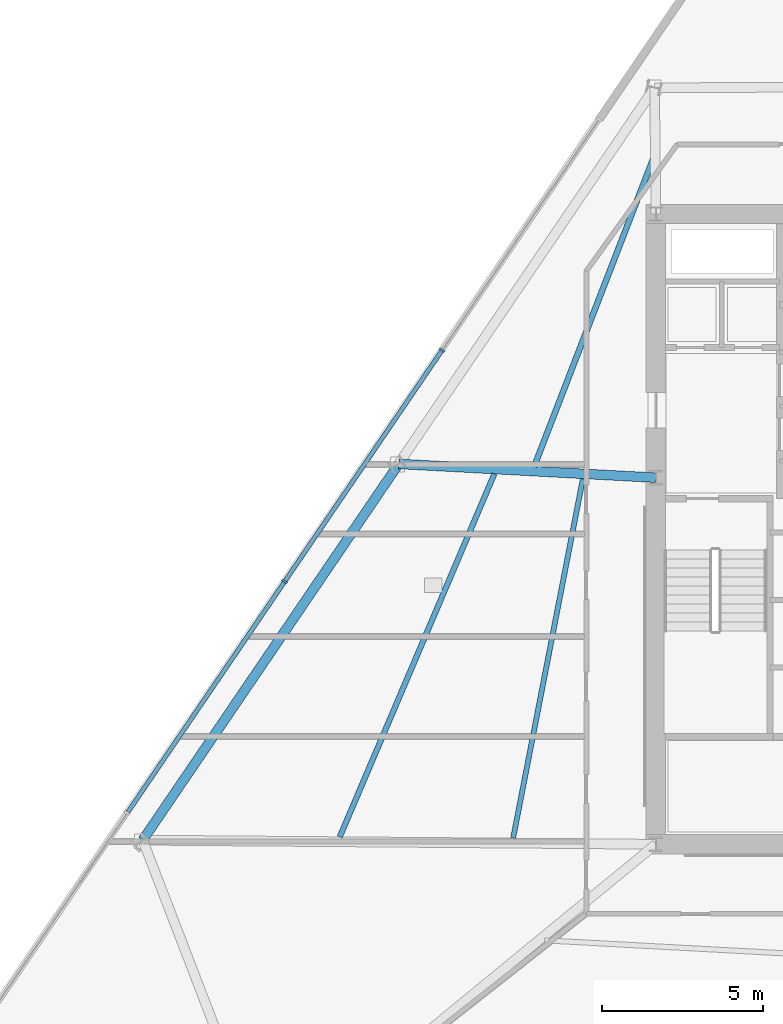
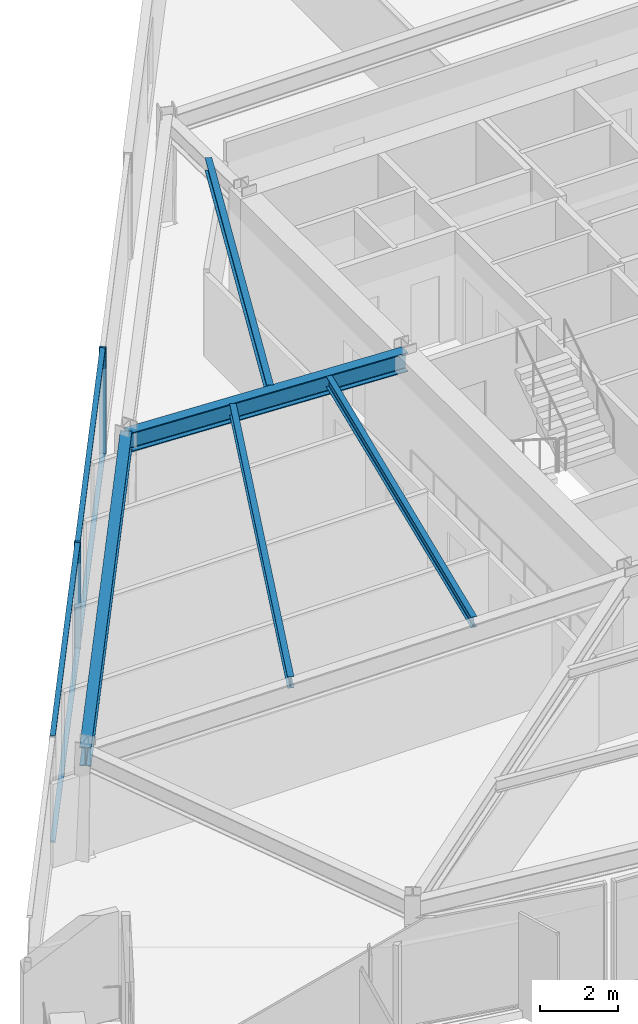
# One storey, part 3 of 16: 6 members, 5 beams, 1 element without a shape of its own.
"""IFC4 building model written with IfcOpenShell, lengths in metres."""

from ifc_helpers import new_model, si_unit, direction, frame, origin, origin_2d, place, context, subcontext, project, spatial, rectangle, i_section, extrude, material, material_profile, profile_set, type_object, element, aggregate, save


model = new_model("IFC4")

# Units and contexts
model_context = context("Model", 3, precision=1e-05, world=origin(), true_north=direction((0.0, 1.0)))
body_context = subcontext(model_context, "Body", "Model", "MODEL_VIEW")
ifc_project = project(units=[si_unit("LENGTHUNIT", "METRE"), si_unit("AREAUNIT", "SQUARE_METRE"), si_unit("VOLUMEUNIT", "CUBIC_METRE"), si_unit("PLANEANGLEUNIT", "RADIAN"), si_unit("MASSUNIT", "GRAM", prefix="KILO")], contexts=[model_context])

# Site, building, storey
site_placement = place(None, origin())
site = spatial("IfcSite", under=ifc_project, at=site_placement, CompositionType="ELEMENT")
building_placement = place(site_placement, origin())
building = spatial("IfcBuilding", under=site, at=building_placement, Name="Savorim Split Tower", CompositionType="ELEMENT")
storey_placement = place(building_placement, frame((0.0, 0.0, 51.60009765625)))
storey = spatial("IfcBuildingStorey", under=building, at=storey_placement, Name="L13", CompositionType="ELEMENT", Elevation=51.60009765625)

# Beams
ifc_material_1 = material(Name="Steel S355", Category="steel")
ifc_material_profile_1 = material_profile(ifc_material_1, i_section(OverallWidth=0.159912109375, OverallDepth=0.330078125, WebThickness=0.007568359375, FlangeThickness=0.011474609375, FilletRadius=0.01806640625, at=origin_2d()), Name="IPE 330")
ifc_profile_set_1 = profile_set([ifc_material_profile_1], Name="Steel S355")
beam_type_1 = type_object("IfcBeamType", Name="BM-JST-IPE330", PredefinedType="JOIST", material=ifc_profile_set_1)
beam_1_placement = place(storey_placement, frame((-9.969970703125, 1.962890625, 3.184814453125), z_axis=(-0.190496912455, -0.981687794742, 0.0), x_axis=(0.981687794742, -0.190496912455, 0.0)))
element("IfcBeam", 1, at=beam_1_placement, inside=storey, type_object=beam_type_1, Name="L13 Secondary Floor Joist JS-11", PredefinedType="JOIST", context=body_context, shape_type="SweptSolid", body=[
    extrude(i_section(OverallWidth=0.159912109375, OverallDepth=0.330078125, WebThickness=0.007568359375, FlangeThickness=0.011474609375, FilletRadius=0.01806640625, at=origin_2d()), origin(), (0.0, 0.0, 1.0), 11.3779296875),
])
ifc_material_profile_2 = material_profile(ifc_material_1, i_section(OverallWidth=0.169921875, OverallDepth=0.360107421875, WebThickness=0.008056640625, FlangeThickness=0.0126953125, FilletRadius=0.01806640625, at=origin_2d()), Name="IPE 360")
ifc_profile_set_2 = profile_set([ifc_material_profile_2], Name="Steel S355")
beam_type_2 = type_object("IfcBeamType", Name="BM-JST-IPE360", PredefinedType="JOIST", material=ifc_profile_set_2)
beam_2_placement = place(storey_placement, frame((-12.721435546875, 2.118408203125, 3.169921875), z_axis=(-0.391860817879, -0.920024510223, 0.0), x_axis=(0.920024510223, -0.391860817879, 0.0)))
element("IfcBeam", 2, at=beam_2_placement, inside=storey, type_object=beam_type_2, Name="L13 Secondary Floor Joist JS-10", PredefinedType="JOIST", context=body_context, shape_type="SweptSolid", body=[
    extrude(i_section(OverallWidth=0.169921875, OverallDepth=0.360107421875, WebThickness=0.008056640625, FlangeThickness=0.0126953125, FilletRadius=0.01806640625, at=origin_2d()), origin(), (0.0, 0.0, 1.0), 12.27294921875),
])
ifc_material_profile_3 = material_profile(ifc_material_1, i_section(OverallWidth=0.179931640625, OverallDepth=0.39990234375, WebThickness=0.008544921875, FlangeThickness=0.013427734375, FilletRadius=0.02099609375, at=origin_2d()), Name="IPE 400")
ifc_profile_set_3 = profile_set([ifc_material_profile_3], Name="Steel S355")
beam_type_3 = type_object("IfcBeamType", Name="BM-JST-IPE400", PredefinedType="JOIST", material=ifc_profile_set_3)
beam_3_placement = place(storey_placement, frame((-7.7763671875, 11.936279296875, 3.14990234375), z_axis=(-0.360650706203, -0.932700953208, 0.0), x_axis=(0.932700953208, -0.360650706203, 0.0)))
element("IfcBeam", 3, at=beam_3_placement, inside=storey, type_object=beam_type_3, Name="L13 Secondary Floor Joist JS-09", PredefinedType="JOIST", context=body_context, shape_type="SweptSolid", body=[
    extrude(i_section(OverallWidth=0.179931640625, OverallDepth=0.39990234375, WebThickness=0.008544921875, FlangeThickness=0.013427734375, FilletRadius=0.02099609375, at=origin_2d()), origin(), (0.0, 0.0, 1.0), 10.272705078125),
])
ifc_material_profile_4 = material_profile(ifc_material_1, i_section(OverallWidth=0.300048828125, OverallDepth=0.60009765625, WebThickness=0.015380859375, FlangeThickness=0.030029296875, FilletRadius=0.027099609375, at=origin_2d()), Name="HEB 600")
ifc_profile_set_4 = profile_set([ifc_material_profile_4], Name="Steel S355")
beam_type_4 = type_object("IfcBeamType", Name="BM-PRI-HEB600", PredefinedType="BEAM", material=ifc_profile_set_4)
beam_4_placement = place(storey_placement, frame((-15.697998046875, 2.4287109375, 3.0498046875), z_axis=(0.998566503555, -0.053525115392, 0.0), x_axis=(0.053525115392, 0.998566503555, 0.0)))
element("IfcBeam", 4, at=beam_4_placement, inside=storey, type_object=beam_type_4, Name="L13 Primary Floor Girder RG-09", PredefinedType="BEAM", context=body_context, shape_type="SweptSolid", body=[
    extrude(i_section(OverallWidth=0.300048828125, OverallDepth=0.60009765625, WebThickness=0.015380859375, FlangeThickness=0.030029296875, FilletRadius=0.027099609375, at=origin_2d()), origin(), (0.0, 0.0, 1.0), 8.009521484375),
])
ifc_material_profile_5 = material_profile(ifc_material_1, i_section(OverallWidth=0.300048828125, OverallDepth=0.590087890625, WebThickness=0.012939453125, FlangeThickness=0.02490234375, FilletRadius=0.027099609375, at=origin_2d()), Name="HEA 600")
ifc_profile_set_5 = profile_set([ifc_material_profile_5], Name="Steel S355")
beam_type_5 = type_object("IfcBeamType", Name="BM-SPN-HEA600", PredefinedType="SPANDREL", material=ifc_profile_set_5)
beam_5_placement = place(storey_placement, frame((-15.697998046875, 2.4287109375, 3.054931640625), z_axis=(-0.562455834687, -0.826827330237, 0.0), x_axis=(0.826827330237, -0.562455834687, 0.0)))
element("IfcBeam", 5, at=beam_5_placement, inside=storey, type_object=beam_type_5, Name="L13 Perimeter Spandrel Beam 9", PredefinedType="SPANDREL", context=body_context, shape_type="SweptSolid", body=[
    extrude(i_section(OverallWidth=0.300048828125, OverallDepth=0.590087890625, WebThickness=0.012939453125, FlangeThickness=0.02490234375, FilletRadius=0.027099609375, at=origin_2d()), origin(), (0.0, 0.0, 1.0), 14.150390625),
])

# Curtain wall, members
ifc_material_2 = material(Name="Dark Ceramic-Fritted Insulated Glass", Category="glass")
curtain_wall_type = type_object("IfcCurtainWallType", Name="CW-TWR-FRIT-A", PredefinedType="NOTDEFINED", material=ifc_material_2)
curtain_wall_placement = place(storey_placement, origin())
curtain_wall = element("IfcCurtainWall", 6, at=curtain_wall_placement, inside=storey, type_object=curtain_wall_type, Name="L13 Curtain Wall CW-L13-WEST", PredefinedType="NOTDEFINED")
ifc_material_3 = material(Name="Charcoal Anodised Aluminium", Category="aluminium")
ifc_material_profile_6 = material_profile(ifc_material_3, rectangle(XDim=0.179931640625, YDim=0.06494140625, at=origin_2d()), Name="ALU-M 180x65")
ifc_profile_set_6 = profile_set([ifc_material_profile_6], Name="Charcoal Anodised Aluminium")
member_type_1 = type_object("IfcMemberType", Name="CWM-180x65", PredefinedType="MULLION", material=ifc_profile_set_6)
member_1_placement = place(storey_placement, frame((-14.34619140625, 5.967041015625, 0.0), z_axis=(0.0, 0.0, 1.0), x_axis=(0.826820172644, -0.562466356423, 0.0)))
member_1 = element("IfcMember", 7, at=member_1_placement, type_object=member_type_1, Name="CW-02 mullion 2", PredefinedType="MULLION", context=body_context, shape_type="SweptSolid", body=[
    extrude(rectangle(XDim=0.179931640625, YDim=0.06494140625, at=origin_2d()), origin(), (0.0, 0.0, 1.0), 3.349853515625),
])
member_2_placement = place(storey_placement, frame((-19.24169921875, -1.229248046875, 0.0), z_axis=(0.0, 0.0, 1.0), x_axis=(0.826820172644, -0.562466356423, 0.0)))
member_2 = element("IfcMember", 8, at=member_2_placement, type_object=member_type_1, Name="CW-02 mullion 3", PredefinedType="MULLION", context=body_context, shape_type="SweptSolid", body=[
    extrude(rectangle(XDim=0.179931640625, YDim=0.06494140625, at=origin_2d()), origin(), (0.0, 0.0, 1.0), 3.349853515625),
])
ifc_material_profile_7 = material_profile(ifc_material_3, rectangle(XDim=0.139892578125, YDim=0.054931640625, at=origin_2d()), Name="ALU-T 140x55")
ifc_profile_set_7 = profile_set([ifc_material_profile_7], Name="Charcoal Anodised Aluminium")
member_type_2 = type_object("IfcMemberType", Name="CWT-140x55", PredefinedType="USERDEFINED", material=ifc_profile_set_7)
member_3_placement = place(storey_placement, frame((-14.364501953125, 5.940185546875, 0.02734375), z_axis=(-0.562463069867, -0.826822408402, 0.0), x_axis=(0.826822408402, -0.562463069867, 0.0)))
member_3 = element("IfcMember", 9, at=member_3_placement, type_object=member_type_2, Name="CW-02 transom 2.1", ObjectType="TRANSOM", PredefinedType="USERDEFINED", context=body_context, shape_type="SweptSolid", body=[
    extrude(rectangle(XDim=0.139892578125, YDim=0.054931640625, at=origin_2d()), origin(), (0.0, 0.0, 1.0), 8.638671875),
])
member_4_placement = place(storey_placement, frame((-14.364501953125, 5.940185546875, 3.322509765625), z_axis=(-0.562463069867, -0.826822408402, 0.0), x_axis=(0.826822408402, -0.562463069867, 0.0)))
member_4 = element("IfcMember", 10, at=member_4_placement, type_object=member_type_2, Name="CW-02 transom 2.2", ObjectType="TRANSOM", PredefinedType="USERDEFINED", context=body_context, shape_type="SweptSolid", body=[
    extrude(rectangle(XDim=0.139892578125, YDim=0.054931640625, at=origin_2d()), origin(), (0.0, 0.0, 1.0), 8.638671875),
])
member_5_placement = place(storey_placement, frame((-19.260009765625, -1.256103515625, 0.02734375), z_axis=(-0.562449926829, -0.826831349073, 0.0), x_axis=(0.826831349073, -0.562449926829, 0.0)))
member_5 = element("IfcMember", 11, at=member_5_placement, type_object=member_type_2, Name="CW-02 transom 3.1", ObjectType="TRANSOM", PredefinedType="USERDEFINED", context=body_context, shape_type="SweptSolid", body=[
    extrude(rectangle(XDim=0.139892578125, YDim=0.054931640625, at=origin_2d()), origin(), (0.0, 0.0, 1.0), 8.638671875),
])
member_6_placement = place(storey_placement, frame((-19.260009765625, -1.256103515625, 3.322509765625), z_axis=(-0.562449926829, -0.826831349073, 0.0), x_axis=(0.826831349073, -0.562449926829, 0.0)))
member_6 = element("IfcMember", 12, at=member_6_placement, type_object=member_type_2, Name="CW-02 transom 3.2", ObjectType="TRANSOM", PredefinedType="USERDEFINED", context=body_context, shape_type="SweptSolid", body=[
    extrude(rectangle(XDim=0.139892578125, YDim=0.054931640625, at=origin_2d()), origin(), (0.0, 0.0, 1.0), 8.638671875),
])
aggregate(curtain_wall, [member_1, member_2, member_3, member_4, member_5, member_6])

save(model, "model.ifc")
